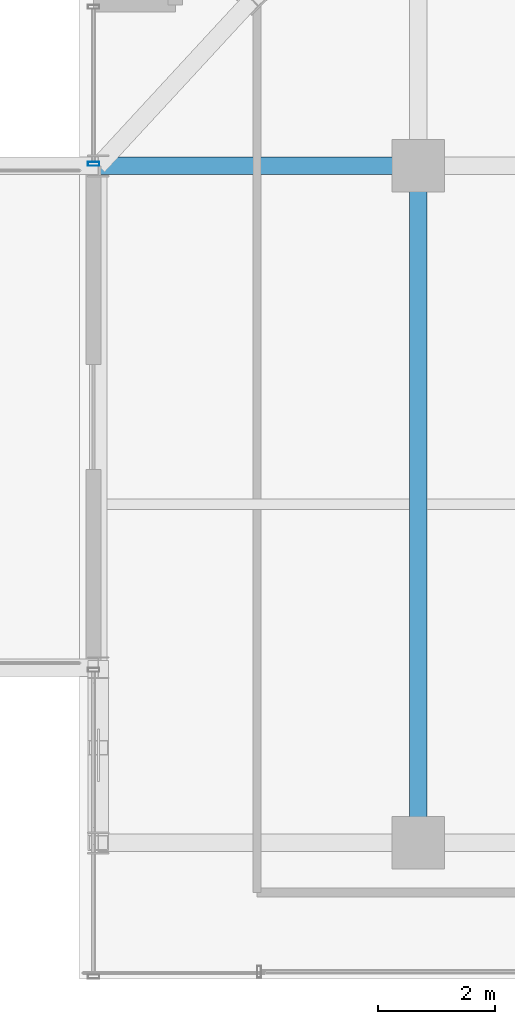
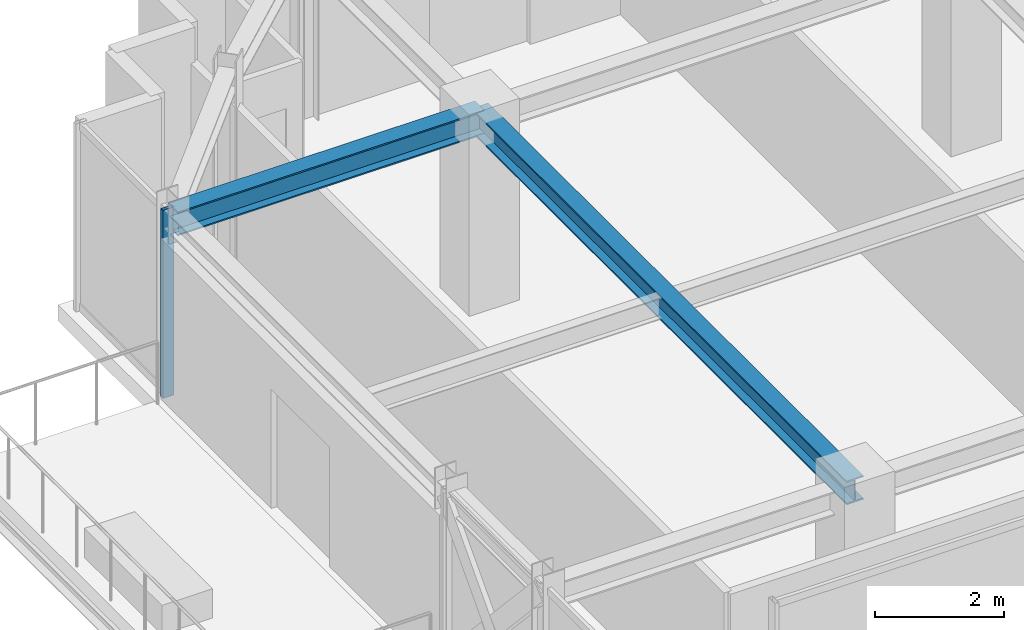
# One storey, part 24 of 40: 2 beams, 1 member, 1 element without a shape of its own.
"""IFC4 building model written with IfcOpenShell, lengths in metres."""

from ifc_helpers import new_model, si_unit, direction, frame, origin, origin_2d, place, context, subcontext, project, spatial, hollow_rectangle, i_section, extrude, source, transform, mapped, material, material_profile, profile_set, type_object, element, aggregate, save


model = new_model("IFC4")

# Units and contexts
model_context = context("Model", 3, precision=1e-05, world=origin(), true_north=direction((0.0, 1.0)))
body_context = subcontext(model_context, "Body", "Model", "MODEL_VIEW")
ifc_project = project(units=[si_unit("LENGTHUNIT", "METRE"), si_unit("AREAUNIT", "SQUARE_METRE"), si_unit("VOLUMEUNIT", "CUBIC_METRE"), si_unit("PLANEANGLEUNIT", "RADIAN"), si_unit("MASSUNIT", "GRAM", prefix="KILO")], contexts=[model_context])

# Site, building, storey
site_placement = place(None, origin())
site = spatial("IfcSite", under=ifc_project, at=site_placement, CompositionType="ELEMENT")
building_placement = place(site_placement, origin())
building = spatial("IfcBuilding", under=site, at=building_placement, Name="Nahalor Promenade Grand Hotel", CompositionType="ELEMENT")
storey_placement = place(building_placement, frame((0.0, 0.0, 288.800048828125)))
storey = spatial("IfcBuildingStorey", under=building, at=storey_placement, Name="L74", CompositionType="ELEMENT", Elevation=288.800048828125)

# Beams
ifc_material_1 = material(Name="Steel S355JR", Category="steel")
ifc_material_profile_1 = material_profile(ifc_material_1, i_section(OverallWidth=0.3, OverallDepth=0.45, WebThickness=0.014, FlangeThickness=0.026, at=origin_2d()), Name="HEB 450")
ifc_profile_set_1 = profile_set([ifc_material_profile_1], Name="Steel S355JR")
beam_type = type_object("IfcBeamType", Name="Beam-Girder-HEB450", PredefinedType="BEAM", material=ifc_profile_set_1)
shared_shape_1 = source(origin(), body_context, "Body", "SweptSolid", [
    extrude(i_section(OverallWidth=0.3, OverallDepth=0.45, WebThickness=0.014, FlangeThickness=0.026, at=origin_2d()), origin(), (0.0, 0.0, 1.0), 11.60009765625),
])
beam_1_placement = place(storey_placement, frame((-17.0, 5.39990234375, 3.324951171875), z_axis=(0.0, 1.0, 0.0), x_axis=(-1.0, 0.0, 0.0)))
element("IfcBeam", 1, at=beam_1_placement, inside=storey, type_object=beam_type, Name="BM-L74-GY-0-3", PredefinedType="BEAM", context=body_context, shape_type="MappedRepresentation", body=[
    mapped(shared_shape_1, transform((0.0, 0.0, 0.0), scale=1.0)),
])
shared_shape_2 = source(origin(), body_context, "Body", "SweptSolid", [
    extrude(i_section(OverallWidth=0.3, OverallDepth=0.45, WebThickness=0.014, FlangeThickness=0.026, at=origin_2d()), origin(), (0.0, 0.0, 1.0), 5.47998046875),
])
beam_2_placement = place(storey_placement, frame((-22.47998046875, 17.0, 3.324951171875), z_axis=(1.0, 0.0, 0.0), x_axis=(0.0, 1.0, 0.0)))
element("IfcBeam", 2, at=beam_2_placement, inside=storey, type_object=beam_type, Name="BM-L74-GX-3-0", PredefinedType="BEAM", context=body_context, shape_type="MappedRepresentation", body=[
    mapped(shared_shape_2, transform((0.0, 0.0, 0.0), scale=1.0)),
])

# Curtain wall, member
ifc_material_2 = material(Name="Anodised Bronze Aluminium EN AW-6063 T6", Category="aluminium")
curtain_wall_type = type_object("IfcCurtainWallType", Name="CW3 Elliptical-Void Collar Unitised Curtain Wall", PredefinedType="USERDEFINED", material=ifc_material_2)
curtain_wall_placement = place(storey_placement, origin())
curtain_wall = element("IfcCurtainWall", 3, at=curtain_wall_placement, inside=storey, type_object=curtain_wall_type, Name="L74 Curtain Wall CW-L74-W-4", ObjectType="UNITISED_CURTAIN_WALL", PredefinedType="USERDEFINED")
ifc_material_profile_2 = material_profile(ifc_material_2, hollow_rectangle(XDim=0.07, YDim=0.2, WallThickness=0.005, at=origin_2d()), Name="CWM 70x200x5")
ifc_profile_set_2 = profile_set([ifc_material_profile_2], Name="Anodised Bronze Aluminium EN AW-6063 T6")
member_type = type_object("IfcMemberType", Name="CWM3 Void Collar Mullion 70x200", PredefinedType="MULLION", material=ifc_profile_set_2)
shared_shape_3 = source(origin(), body_context, "Body", "SweptSolid", [
    extrude(hollow_rectangle(XDim=0.07, YDim=0.2, WallThickness=0.005, at=origin_2d()), origin(), (0.0, 0.0, 1.0), 3.550048828125),
])
member_placement = place(storey_placement, frame((-22.56005859375, 17.034912109375, 0.0), z_axis=(0.0, 0.0, 1.0), x_axis=(0.0, 1.0, 0.0)))
member = element("IfcMember", 4, at=member_placement, type_object=member_type, Name="CW-L74-W-4 Mullion 0", PredefinedType="MULLION", context=body_context, shape_type="MappedRepresentation", body=[
    mapped(shared_shape_3, transform((0.0, 0.0, 0.0), scale=1.0)),
])
aggregate(curtain_wall, [member])

save(model, "model.ifc")
